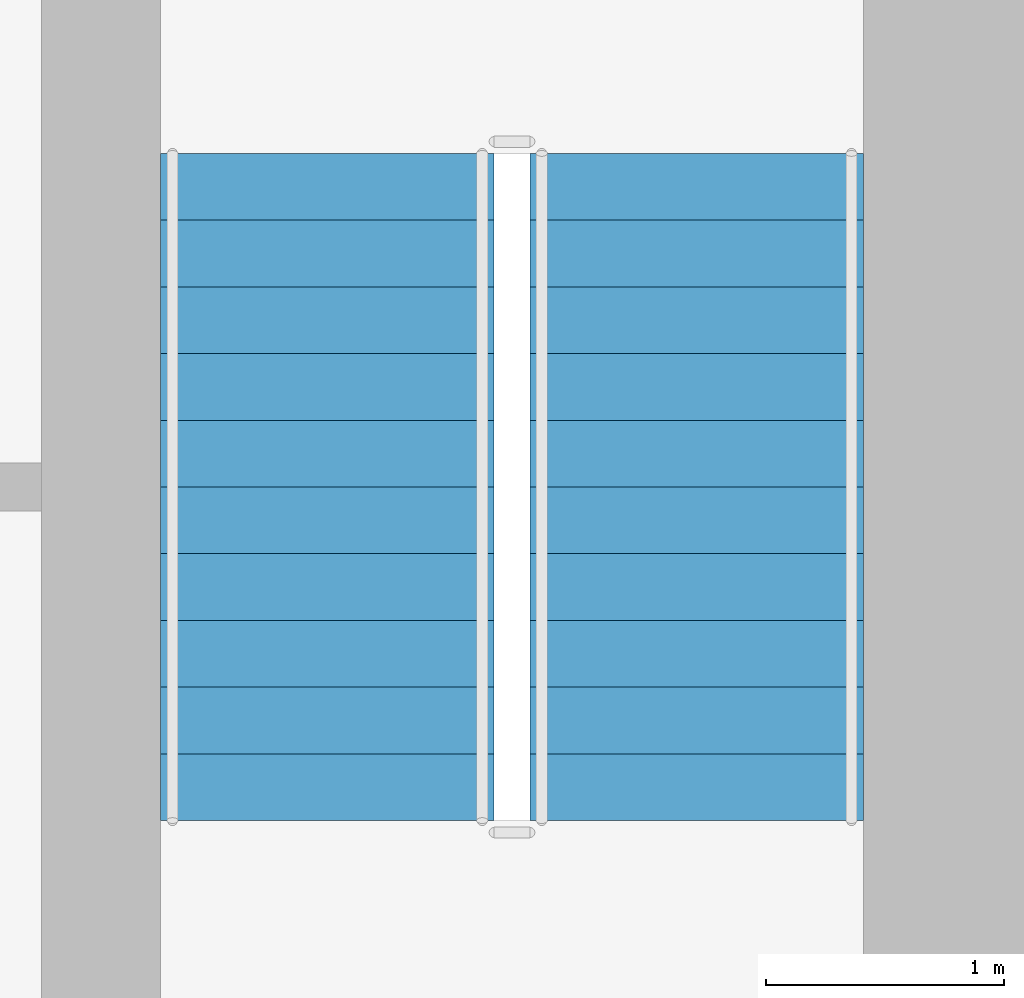
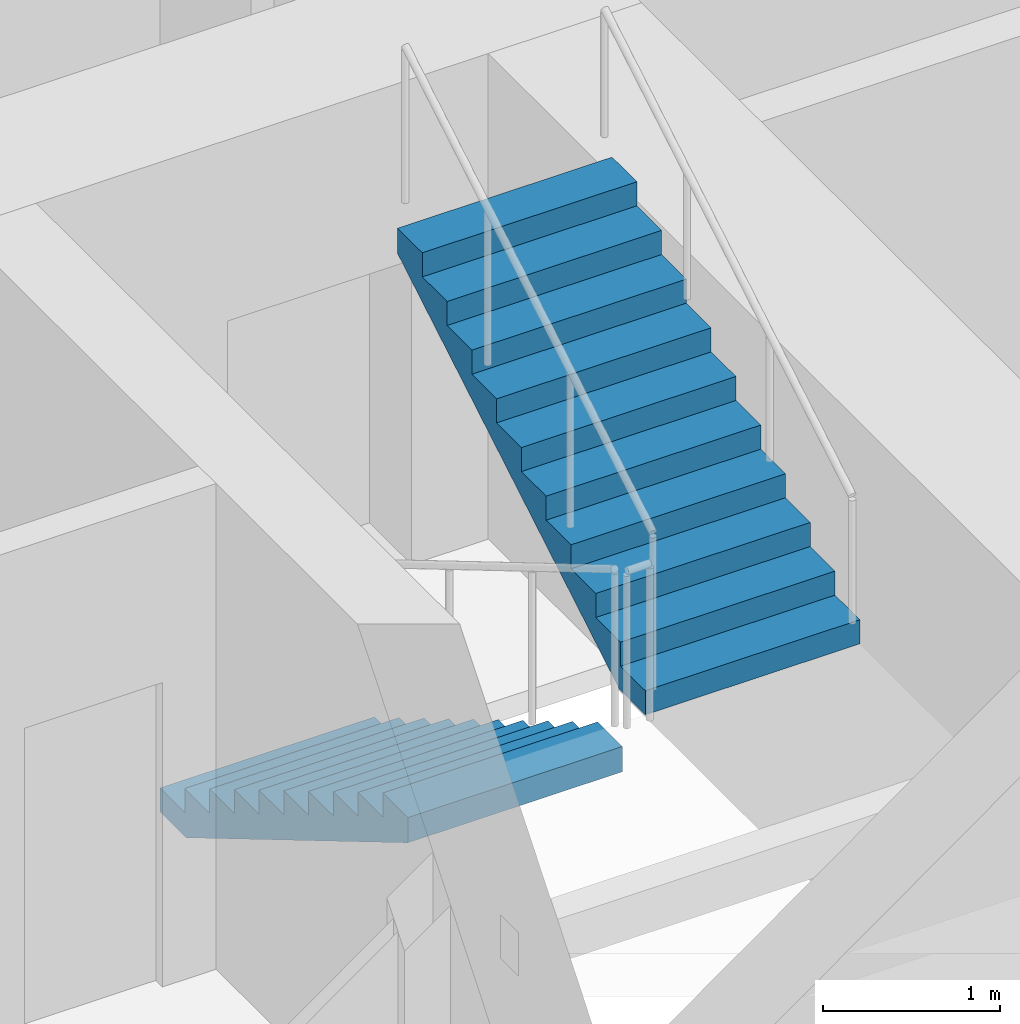
# One storey, part 17 of 20: 2 stair flights, 1 element without a shape of its own.
"""IFC4 building model written with IfcOpenShell, lengths in metres."""

from ifc_helpers import new_model, si_unit, direction, frame, origin, place, context, subcontext, project, spatial, polyline, outline, extrude, material, type_object, element, aggregate, save


model = new_model("IFC4")

# Units and contexts
model_context = context("Model", 3, precision=1e-05, world=origin(), true_north=direction((0.0, 1.0)))
body_context = subcontext(model_context, "Body", "Model", "MODEL_VIEW")
ifc_project = project(units=[si_unit("LENGTHUNIT", "METRE"), si_unit("AREAUNIT", "SQUARE_METRE"), si_unit("VOLUMEUNIT", "CUBIC_METRE"), si_unit("PLANEANGLEUNIT", "RADIAN"), si_unit("MASSUNIT", "GRAM", prefix="KILO")], contexts=[model_context])

# Site, building, storey
site_placement = place(None, origin())
site = spatial("IfcSite", under=ifc_project, at=site_placement, CompositionType="ELEMENT")
building_placement = place(site_placement, origin())
building = spatial("IfcBuilding", under=site, at=building_placement, Name="Isthmus Gate Tower", CompositionType="ELEMENT")
storey_placement = place(building_placement, frame((0.0, 0.0, 72.5)))
storey = spatial("IfcBuildingStorey", under=building, at=storey_placement, Name="L16", CompositionType="ELEMENT", Elevation=72.5)

# Stair, stair flights
ifc_material_1 = material(Name="Concrete f'c 40 MPa", Category="concrete")
stair_type = type_object("IfcStairType", Name="CORE STAIR 22 RISERS", PredefinedType="HALF_TURN_STAIR", material=ifc_material_1)
stair_placement = place(storey_placement, origin())
stair = element("IfcStair", 1, at=stair_placement, inside=storey, type_object=stair_type, Name="L16 Exit Stair 2", PredefinedType="HALF_TURN_STAIR")
ifc_material_2 = material(Name="Concrete f'c 40 MPa", Category="concrete")
stair_flight_type = type_object("IfcStairFlightType", Name="STAIR FLIGHT RC 1400", PredefinedType="STRAIGHT", material=ifc_material_2)
stair_flight_1_placement = place(storey_placement, frame((11.75, 12.60009765625, 0.0), z_axis=(0.0, 0.0, 1.0), x_axis=(0.0, -1.0, 0.0)))
stair_flight_1 = element("IfcStairFlight", 2, at=stair_flight_1_placement, type_object=stair_flight_type, Name="ST2 flight 1", NumberOfRisers=11, NumberOfTreads=10, PredefinedType="STRAIGHT", RiserHeight=0.165909091, TreadLength=0.28, context=body_context, shape_type="SweptSolid", body=[
    extrude(outline(polyline([(0.0, 0.0), (0.0, 0.166015625), (0.280029296875, 0.166015625), (0.280029296875, 0.331787109375), (0.56005859375, 0.331787109375), (0.56005859375, 0.497802734375), (0.840087890625, 0.497802734375), (0.840087890625, 0.66357421875), (1.1201171875, 0.66357421875), (1.1201171875, 0.82958984375), (1.39990234375, 0.82958984375), (1.39990234375, 0.995361328125), (1.679931640625, 0.995361328125), (1.679931640625, 1.161376953125), (1.9599609375, 1.161376953125), (1.9599609375, 1.327392578125), (2.239990234375, 1.327392578125), (2.239990234375, 1.4931640625), (2.52001953125, 1.4931640625), (2.52001953125, 1.6591796875), (2.800048828125, 1.6591796875), (2.800048828125, 1.824951171875), (2.800048828125, 1.48486328125), (0.2939453125, 0.0), (0.0, 0.0)])), frame((0.0, 0.699951171875, 0.0), z_axis=(0.0, -1.0, 0.0), x_axis=(1.0, 0.0, 0.0)), (0.0, 0.0, 1.0), 1.39990234375),
])
stair_flight_2_placement = place(storey_placement, frame((13.300048828125, 9.800048828125, 1.824951171875), z_axis=(0.0, 0.0, 1.0), x_axis=(0.0, 1.0, 0.0)))
stair_flight_2 = element("IfcStairFlight", 3, at=stair_flight_2_placement, type_object=stair_flight_type, Name="ST2 flight 2", NumberOfRisers=11, NumberOfTreads=10, PredefinedType="STRAIGHT", RiserHeight=0.165909091, TreadLength=0.28, context=body_context, shape_type="SweptSolid", body=[
    extrude(outline(polyline([(0.0, 0.0), (0.0, 0.166015625), (0.280029296875, 0.166015625), (0.280029296875, 0.331787109375), (0.56005859375, 0.331787109375), (0.56005859375, 0.497802734375), (0.840087890625, 0.497802734375), (0.840087890625, 0.66357421875), (1.1201171875, 0.66357421875), (1.1201171875, 0.82958984375), (1.39990234375, 0.82958984375), (1.39990234375, 0.995361328125), (1.679931640625, 0.995361328125), (1.679931640625, 1.161376953125), (1.9599609375, 1.161376953125), (1.9599609375, 1.327392578125), (2.239990234375, 1.327392578125), (2.239990234375, 1.4931640625), (2.52001953125, 1.4931640625), (2.52001953125, 1.6591796875), (2.800048828125, 1.6591796875), (2.800048828125, 1.824951171875), (2.800048828125, 1.48486328125), (0.2939453125, 0.0), (0.0, 0.0)])), frame((0.0, 0.699951171875, 0.0), z_axis=(0.0, -1.0, 0.0), x_axis=(1.0, 0.0, 0.0)), (0.0, 0.0, 1.0), 1.39990234375),
])
aggregate(stair, [stair_flight_1, stair_flight_2])

save(model, "model.ifc")
